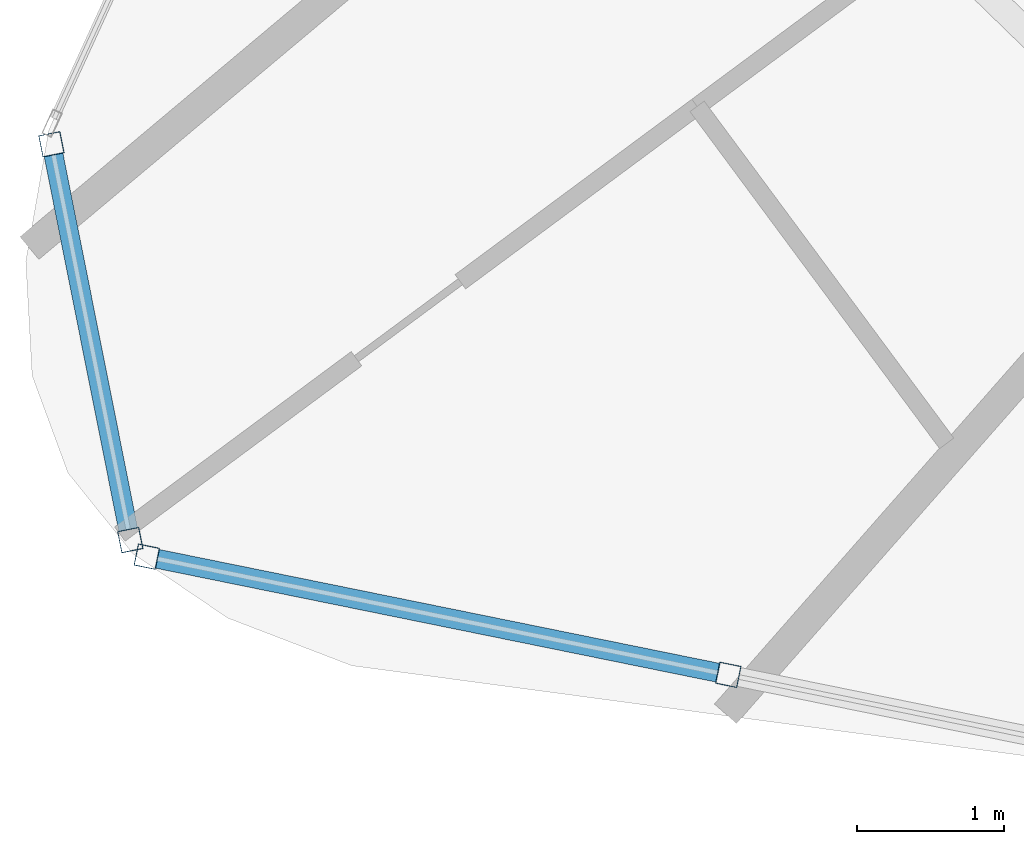
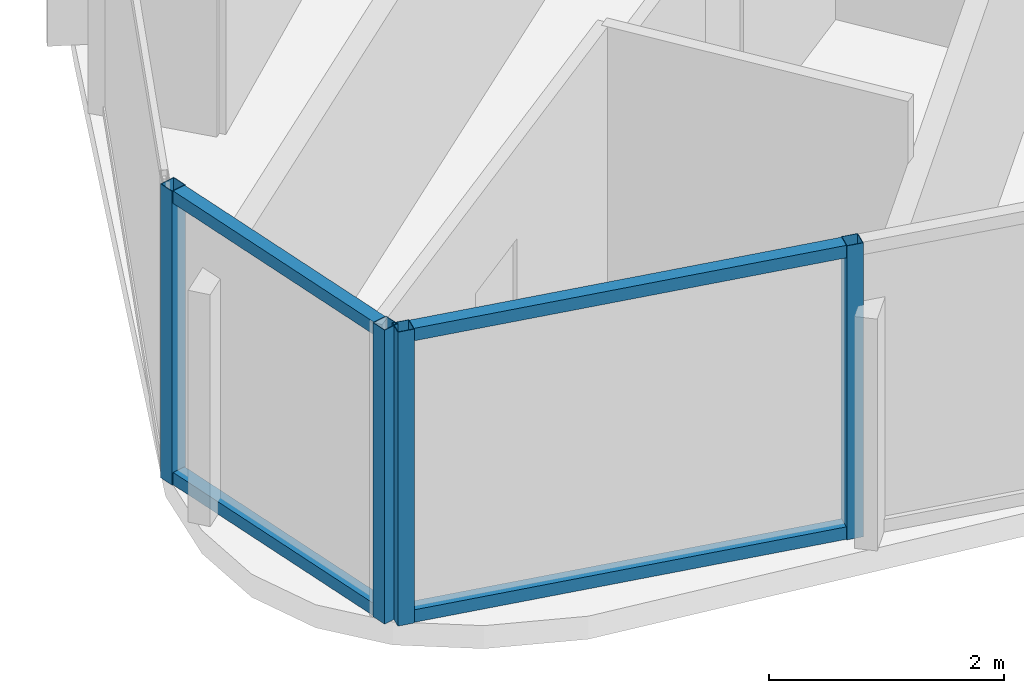
# One storey, part 2 of 38: 8 members, 2 elements without a shape of their own.
"""IFC4 building model written with IfcOpenShell, lengths in metres."""

from ifc_helpers import new_model, si_unit, direction, frame, origin, origin_2d, place, context, subcontext, project, spatial, hollow_rectangle, extrude, material, layer, layer_set, material_profile, profile_set, type_object, element, aggregate, save


model = new_model("IFC4")

# Units and contexts
model_context = context("Model", 3, precision=1e-05, world=origin(), true_north=direction((0.0, 1.0)))
body_context = subcontext(model_context, "Body", "Model", "MODEL_VIEW")
ifc_project = project(units=[si_unit("LENGTHUNIT", "METRE"), si_unit("AREAUNIT", "SQUARE_METRE"), si_unit("VOLUMEUNIT", "CUBIC_METRE"), si_unit("PLANEANGLEUNIT", "RADIAN"), si_unit("MASSUNIT", "GRAM", prefix="KILO")], contexts=[model_context])

# Site, building, storey
site_placement = place(None, origin())
site = spatial("IfcSite", under=ifc_project, at=site_placement, CompositionType="ELEMENT")
building_placement = place(site_placement, origin())
building = spatial("IfcBuilding", under=site, at=building_placement, Name="Orvanel Arch Residences", CompositionType="ELEMENT")
storey_placement = place(building_placement, frame((0.0, 0.0, 46.699951171875)))
storey = spatial("IfcBuildingStorey", under=building, at=storey_placement, Name="L12", CompositionType="ELEMENT", Elevation=46.699951171875)

# Curtain wall, members
ifc_material = material(Name="Bronze-anodised aluminium AA6063-T6", Category="aluminium")
ifc_layer = layer(ifc_material, 0.18994140625)
ifc_layer_set = layer_set([ifc_layer], Name="Bronze-anodised aluminium AA6063-T6")
curtain_wall_type = type_object("IfcCurtainWallType", Name="CW5-CRN-SYS", PredefinedType="NOTDEFINED", material=ifc_layer_set)
curtain_wall_1_placement = place(storey_placement, origin())
curtain_wall_1 = element("IfcCurtainWall", 1, at=curtain_wall_1_placement, inside=storey, type_object=curtain_wall_type, Name="L12 CW5-CRN-SYS Unitised Curtain Wall", PredefinedType="NOTDEFINED")
ifc_material_profile_1 = material_profile(ifc_material, hollow_rectangle(XDim=0.14990234375, YDim=0.14990234375, WallThickness=0.0048828125, at=origin_2d()), Name="ALU150x150x5")
ifc_profile_set_1 = profile_set([ifc_material_profile_1], Name="Bronze-anodised aluminium AA6063-T6")
member_type_1 = type_object("IfcMemberType", Name="MUL-150x150", PredefinedType="MULLION", material=ifc_profile_set_1)
member_1_placement = place(storey_placement, frame((4.51171875, 7.1923828125, 0.0), z_axis=(0.0, 0.0, 1.0), x_axis=(0.980713266811, 0.195452010225, 0.0)))
member_1 = element("IfcMember", 2, at=member_1_placement, type_object=member_type_1, Name="CW-S5 mullion 1", PredefinedType="MULLION", context=body_context, shape_type="SweptSolid", body=[
    extrude(hollow_rectangle(XDim=0.14990234375, YDim=0.14990234375, WallThickness=0.0048828125, at=origin_2d()), origin(), (0.0, 0.0, 1.0), 3.06005859375),
])
member_2_placement = place(storey_placement, frame((5.04833984375, 4.49951171875, 0.0), z_axis=(0.0, 0.0, 1.0), x_axis=(0.980713266811, 0.195452010225, 0.0)))
member_2 = element("IfcMember", 3, at=member_2_placement, type_object=member_type_1, Name="CW-S5 mullion 2", PredefinedType="MULLION", context=body_context, shape_type="SweptSolid", body=[
    extrude(hollow_rectangle(XDim=0.14990234375, YDim=0.14990234375, WallThickness=0.0048828125, at=origin_2d()), origin(), (0.0, 0.0, 1.0), 3.06005859375),
])

curtain_wall_2_placement = place(storey_placement, origin())
curtain_wall_2 = element("IfcCurtainWall", 4, at=curtain_wall_2_placement, inside=storey, type_object=curtain_wall_type, Name="L12 CW5-CRN-SYS Unitised Curtain Wall", PredefinedType="NOTDEFINED")
member_3_placement = place(storey_placement, frame((5.160400390625, 4.386962890625, 0.0), z_axis=(0.0, 0.0, 1.0), x_axis=(0.199178527808, 0.979963220769, 0.0)))
member_3 = element("IfcMember", 5, at=member_3_placement, type_object=member_type_1, Name="CW-S5 mullion 1", PredefinedType="MULLION", context=body_context, shape_type="SweptSolid", body=[
    extrude(hollow_rectangle(XDim=0.14990234375, YDim=0.14990234375, WallThickness=0.0048828125, at=origin_2d()), origin(), (0.0, 0.0, 1.0), 3.06005859375),
])
member_4_placement = place(storey_placement, frame((9.116455078125, 3.5830078125, 0.0), z_axis=(0.0, 0.0, 1.0), x_axis=(0.199178527808, 0.979963220769, 0.0)))
member_4 = element("IfcMember", 6, at=member_4_placement, type_object=member_type_1, Name="CW-S5 mullion 2", PredefinedType="MULLION", context=body_context, shape_type="SweptSolid", body=[
    extrude(hollow_rectangle(XDim=0.14990234375, YDim=0.14990234375, WallThickness=0.0048828125, at=origin_2d()), origin(), (0.0, 0.0, 1.0), 3.06005859375),
])

# Member
ifc_material_profile_2 = material_profile(ifc_material, hollow_rectangle(XDim=0.1298828125, YDim=0.1298828125, WallThickness=0.00439453125, at=origin_2d()), Name="ALU130x130x4.5")
ifc_profile_set_2 = profile_set([ifc_material_profile_2], Name="Bronze-anodised aluminium AA6063-T6")
member_type_2 = type_object("IfcMemberType", Name="TRN-130x130", PredefinedType="USERDEFINED", material=ifc_profile_set_2)
member_5_placement = place(storey_placement, frame((4.5263671875, 7.118896484375, 0.06494140625), z_axis=(0.195428823394, -0.980717887563, 0.0), x_axis=(0.980717887563, 0.195428823394, 0.0)))
member_5 = element("IfcMember", 7, at=member_5_placement, type_object=member_type_2, Name="CW-S5 transom 1.1", ObjectType="TRANSOM", PredefinedType="USERDEFINED", context=body_context, shape_type="SweptSolid", body=[
    extrude(hollow_rectangle(XDim=0.1298828125, YDim=0.1298828125, WallThickness=0.00439453125, at=origin_2d()), origin(), (0.0, 0.0, 1.0), 2.595947265625),
])

member_6_placement = place(storey_placement, frame((4.5263671875, 7.118896484375, 2.9951171875), z_axis=(0.195428823394, -0.980717887563, 0.0), x_axis=(0.980717887563, 0.195428823394, 0.0)))
member_6 = element("IfcMember", 8, at=member_6_placement, type_object=member_type_2, Name="CW-S5 transom 1.2", ObjectType="TRANSOM", PredefinedType="USERDEFINED", context=body_context, shape_type="SweptSolid", body=[
    extrude(hollow_rectangle(XDim=0.1298828125, YDim=0.1298828125, WallThickness=0.00439453125, at=origin_2d()), origin(), (0.0, 0.0, 1.0), 2.595947265625),
])

aggregate(curtain_wall_1, [member_1, member_2, member_5, member_6])

member_7_placement = place(storey_placement, frame((5.23388671875, 4.3720703125, 0.06494140625), z_axis=(0.979964722217, -0.199171140504, 0.0), x_axis=(0.199171140504, 0.979964722217, 0.0)))
member_7 = element("IfcMember", 9, at=member_7_placement, type_object=member_type_2, Name="CW-S5 transom 1.1", ObjectType="TRANSOM", PredefinedType="USERDEFINED", context=body_context, shape_type="SweptSolid", body=[
    extrude(hollow_rectangle(XDim=0.1298828125, YDim=0.1298828125, WallThickness=0.00439453125, at=origin_2d()), origin(), (0.0, 0.0, 1.0), 3.886962890625),
])

member_8_placement = place(storey_placement, frame((5.23388671875, 4.3720703125, 2.9951171875), z_axis=(0.979964722217, -0.199171140504, 0.0), x_axis=(0.199171140504, 0.979964722217, 0.0)))
member_8 = element("IfcMember", 10, at=member_8_placement, type_object=member_type_2, Name="CW-S5 transom 1.2", ObjectType="TRANSOM", PredefinedType="USERDEFINED", context=body_context, shape_type="SweptSolid", body=[
    extrude(hollow_rectangle(XDim=0.1298828125, YDim=0.1298828125, WallThickness=0.00439453125, at=origin_2d()), origin(), (0.0, 0.0, 1.0), 3.886962890625),
])

aggregate(curtain_wall_2, [member_3, member_4, member_7, member_8])

save(model, "model.ifc")
